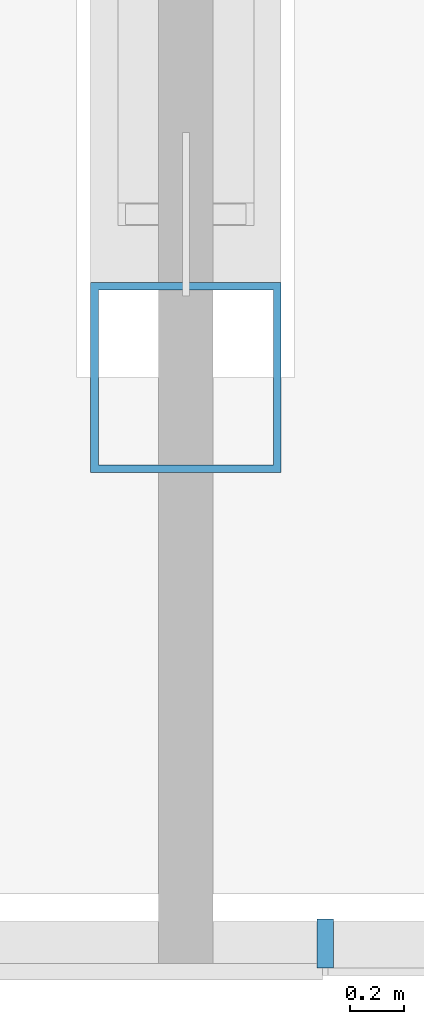
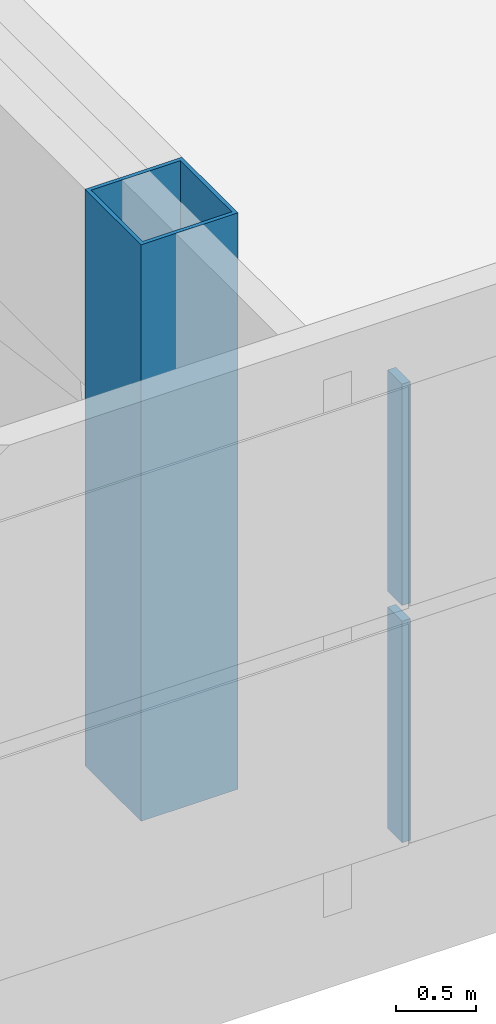
# One storey, part 4 of 33: 3 members, 1 element without a shape of its own.
"""IFC4 building model written with IfcOpenShell, lengths in metres."""

from ifc_helpers import new_model, si_unit, direction, frame, origin, origin_2d, place, context, subcontext, project, spatial, rectangle, hollow_rectangle, extrude, material, layer, layer_set, material_profile, profile_set, type_object, element, aggregate, save


model = new_model("IFC4")

# Units and contexts
model_context = context("Model", 3, precision=1e-05, world=origin(), true_north=direction((0.0, 1.0)))
body_context = subcontext(model_context, "Body", "Model", "MODEL_VIEW")
ifc_project = project(units=[si_unit("LENGTHUNIT", "METRE"), si_unit("AREAUNIT", "SQUARE_METRE"), si_unit("VOLUMEUNIT", "CUBIC_METRE"), si_unit("PLANEANGLEUNIT", "RADIAN"), si_unit("MASSUNIT", "GRAM", prefix="KILO")], contexts=[model_context])

# Site, building, storey
site_placement = place(None, origin())
site = spatial("IfcSite", under=ifc_project, at=site_placement, CompositionType="ELEMENT")
building_placement = place(site_placement, origin())
building = spatial("IfcBuilding", under=site, at=building_placement, Name="Hakoniwa Tower and Hamabe Station Hall", CompositionType="ELEMENT")
storey_placement = place(building_placement, frame((0.0, 0.0, 175.800048828125)))
storey = spatial("IfcBuildingStorey", under=building, at=storey_placement, Name="L50", CompositionType="ELEMENT", Elevation=175.800048828125)

# Curtain wall, members
ifc_material_1 = material(Name="Dark low-e laminated glass", Category="glass")
ifc_layer = layer(ifc_material_1, 0.199951171875)
ifc_layer_set = layer_set([ifc_layer], Name="CW-6 PLANT LOUVRE")
curtain_wall_type = type_object("IfcCurtainWallType", Name="CW-6 PLANT LOUVRE", PredefinedType="NOTDEFINED", material=ifc_layer_set)
curtain_wall_placement = place(storey_placement, origin())
curtain_wall = element("IfcCurtainWall", 1, at=curtain_wall_placement, inside=storey, type_object=curtain_wall_type, Name="CW-6 curtain wall", PredefinedType="NOTDEFINED")
ifc_material_2 = material(Name="Aluminium 6063-T5 black anodised", Category="aluminium")
ifc_material_profile_1 = material_profile(ifc_material_2, rectangle(XDim=0.06005859375, YDim=0.179931640625, at=origin_2d()), Name="CW-1 MULLION 60X180")
ifc_profile_set_1 = profile_set([ifc_material_profile_1], Name="Aluminium 6063-T5 black anodised")
member_type_1 = type_object("IfcMemberType", Name="CW-1 MULLION 60X180", PredefinedType="MULLION", material=ifc_profile_set_1)
member_1_placement = place(storey_placement, frame((-7.887939453125, -19.181884765625, 0.349853515625), z_axis=(0.0, 0.0, 1.0), x_axis=(1.0, 0.0, 0.0)))
member_1 = element("IfcMember", 2, at=member_1_placement, type_object=member_type_1, Name="CW-6 mullion", PredefinedType="MULLION", context=body_context, shape_type="SweptSolid", body=[
    extrude(rectangle(XDim=0.06005859375, YDim=0.179931640625, at=origin_2d()), origin(), (0.0, 0.0, 1.0), 1.690185546875),
])
member_2_placement = place(storey_placement, frame((-7.887939453125, -19.181884765625, 2.159912109375), z_axis=(0.0, 0.0, 1.0), x_axis=(1.0, 0.0, 0.0)))
member_2 = element("IfcMember", 3, at=member_2_placement, type_object=member_type_1, Name="CW-6 mullion", PredefinedType="MULLION", context=body_context, shape_type="SweptSolid", body=[
    extrude(rectangle(XDim=0.06005859375, YDim=0.179931640625, at=origin_2d()), origin(), (0.0, 0.0, 1.0), 1.68994140625),
])
aggregate(curtain_wall, [member_1, member_2])

# Member
ifc_material_3 = material(Name="Steel SN490C", Category="steel")
ifc_material_profile_2 = material_profile(ifc_material_3, hollow_rectangle(XDim=0.699951171875, YDim=0.699951171875, WallThickness=0.028076171875, at=origin_2d()), Name="BX-700x700x28")
ifc_profile_set_2 = profile_set([ifc_material_profile_2], Name="Steel SN490C")
member_type_2 = type_object("IfcMemberType", Name="TRUSS POST BX-700x700x28", PredefinedType="POST", material=ifc_profile_set_2)
member_3_placement = place(storey_placement, frame((-8.39990234375, -17.10009765625, -0.300048828125), z_axis=(0.0, 0.0, 1.0), x_axis=(1.0, 0.0, 0.0)))
element("IfcMember", 4, at=member_3_placement, inside=storey, type_object=member_type_2, Name="Truss T3-11-P01", PredefinedType="POST", context=body_context, shape_type="SweptSolid", body=[
    extrude(hollow_rectangle(XDim=0.699951171875, YDim=0.699951171875, WallThickness=0.028076171875, at=origin_2d()), origin(), (0.0, 0.0, 1.0), 4.39990234375),
])

save(model, "model.ifc")
